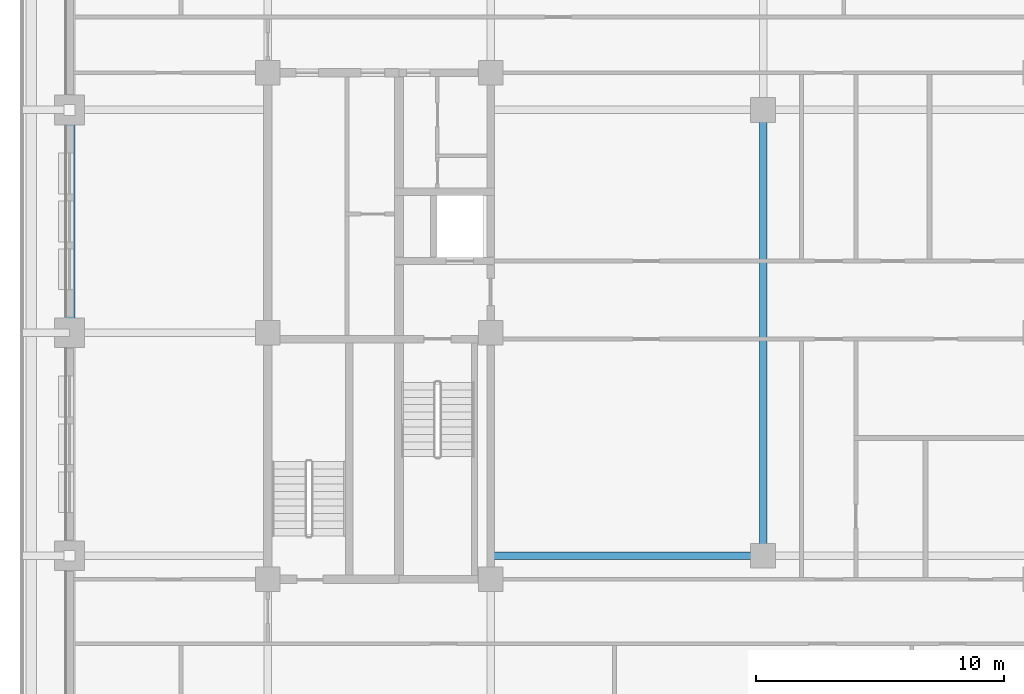
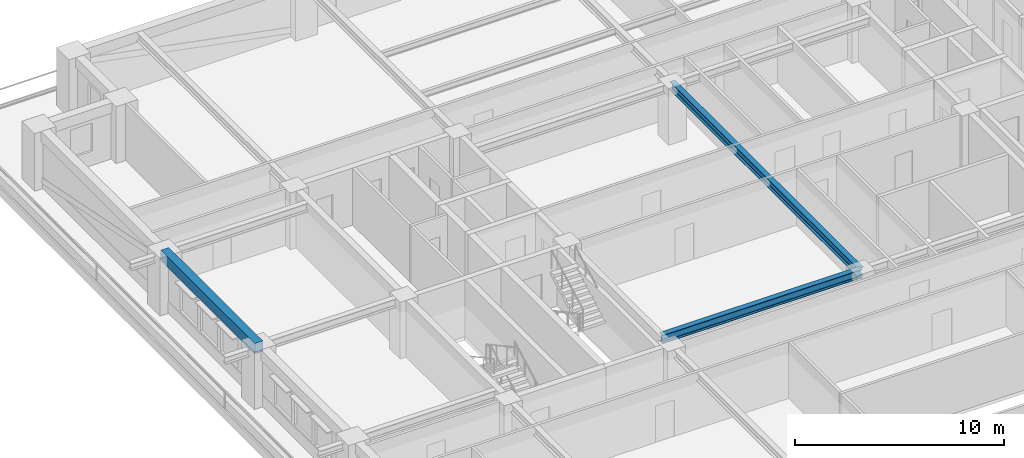
# One storey, part 3 of 20: 3 beams.
"""IFC4 building model written with IfcOpenShell, lengths in metres."""

from ifc_helpers import new_model, si_unit, direction, frame, origin, origin_2d, place, context, subcontext, project, spatial, rectangle, i_section, extrude, material, material_profile, profile_set, type_object, element, save


model = new_model("IFC4")

# Units and contexts
model_context = context("Model", 3, precision=1e-05, world=origin(), true_north=direction((0.0, 1.0)))
body_context = subcontext(model_context, "Body", "Model", "MODEL_VIEW")
ifc_project = project(units=[si_unit("LENGTHUNIT", "METRE"), si_unit("AREAUNIT", "SQUARE_METRE"), si_unit("VOLUMEUNIT", "CUBIC_METRE"), si_unit("PLANEANGLEUNIT", "RADIAN"), si_unit("MASSUNIT", "GRAM", prefix="KILO")], contexts=[model_context])

# Site, building, storey
site_placement = place(None, origin())
site = spatial("IfcSite", under=ifc_project, at=site_placement, CompositionType="ELEMENT")
building_placement = place(site_placement, origin())
building = spatial("IfcBuilding", under=site, at=building_placement, Name="Zulmaris Gate Convention Tower", CompositionType="ELEMENT")
storey_placement = place(building_placement, frame((0.0, 0.0, 146.33984375)))
storey = spatial("IfcBuildingStorey", under=building, at=storey_placement, Name="L37", CompositionType="ELEMENT", Elevation=146.33984375)

# Beams
ifc_material_1 = material(Name="Steel S355", Category="steel")
ifc_material_profile_1 = material_profile(ifc_material_1, i_section(OverallWidth=0.300048828125, OverallDepth=0.5, WebThickness=0.014404296875, FlangeThickness=0.028076171875, FilletRadius=0.027099609375, at=origin_2d()), Name="HEB 500")
ifc_profile_set_1 = profile_set([ifc_material_profile_1], Name="Steel S355")
beam_type_1 = type_object("IfcBeamType", Name="BM-HEB500", PredefinedType="BEAM", material=ifc_profile_set_1)
beam_1_placement = place(storey_placement, frame((-11.0, -9.0, 3.068115234375), z_axis=(1.0, 0.0, 0.0), x_axis=(0.0, 1.0, 0.0)))
element("IfcBeam", 1, at=beam_1_placement, inside=storey, type_object=beam_type_1, Name="L37 Beam BM-L37-G01", PredefinedType="BEAM", context=body_context, shape_type="SweptSolid", body=[
    extrude(i_section(OverallWidth=0.300048828125, OverallDepth=0.5, WebThickness=0.014404296875, FlangeThickness=0.028076171875, FilletRadius=0.027099609375, at=origin_2d()), origin(), (0.0, 0.0, 1.0), 11.0),
])
beam_2_placement = place(storey_placement, frame((0.0, -9.0, 3.068115234375), z_axis=(0.0, 1.0, 0.0), x_axis=(-1.0, 0.0, 0.0)))
element("IfcBeam", 2, at=beam_2_placement, inside=storey, type_object=beam_type_1, Name="L37 Beam BM-L37-G06", PredefinedType="BEAM", context=body_context, shape_type="SweptSolid", body=[
    extrude(i_section(OverallWidth=0.300048828125, OverallDepth=0.5, WebThickness=0.014404296875, FlangeThickness=0.028076171875, FilletRadius=0.027099609375, at=origin_2d()), origin(), (0.0, 0.0, 1.0), 18.0),
])
ifc_material_2 = material(Name="Precast concrete C50/60", Category="concrete")
ifc_material_profile_2 = material_profile(ifc_material_2, rectangle(XDim=0.449951171875, YDim=0.60009765625, at=origin_2d()), Name="RC SPANDREL 450x600")
ifc_profile_set_2 = profile_set([ifc_material_profile_2], Name="Precast concrete C50/60")
beam_type_2 = type_object("IfcBeamType", Name="BM-SP450x600", PredefinedType="SPANDREL", material=ifc_profile_set_2)
beam_3_placement = place(storey_placement, frame((-28.0, 9.0, 3.02001953125), z_axis=(0.0, -1.0, 0.0), x_axis=(1.0, 0.0, 0.0)))
element("IfcBeam", 3, at=beam_3_placement, inside=storey, type_object=beam_type_2, Name="L37 Spandrel SP-L37-20", PredefinedType="SPANDREL", context=body_context, shape_type="SweptSolid", body=[
    extrude(rectangle(XDim=0.449951171875, YDim=0.60009765625, at=origin_2d()), origin(), (0.0, 0.0, 1.0), 9.0),
])

save(model, "model.ifc")
